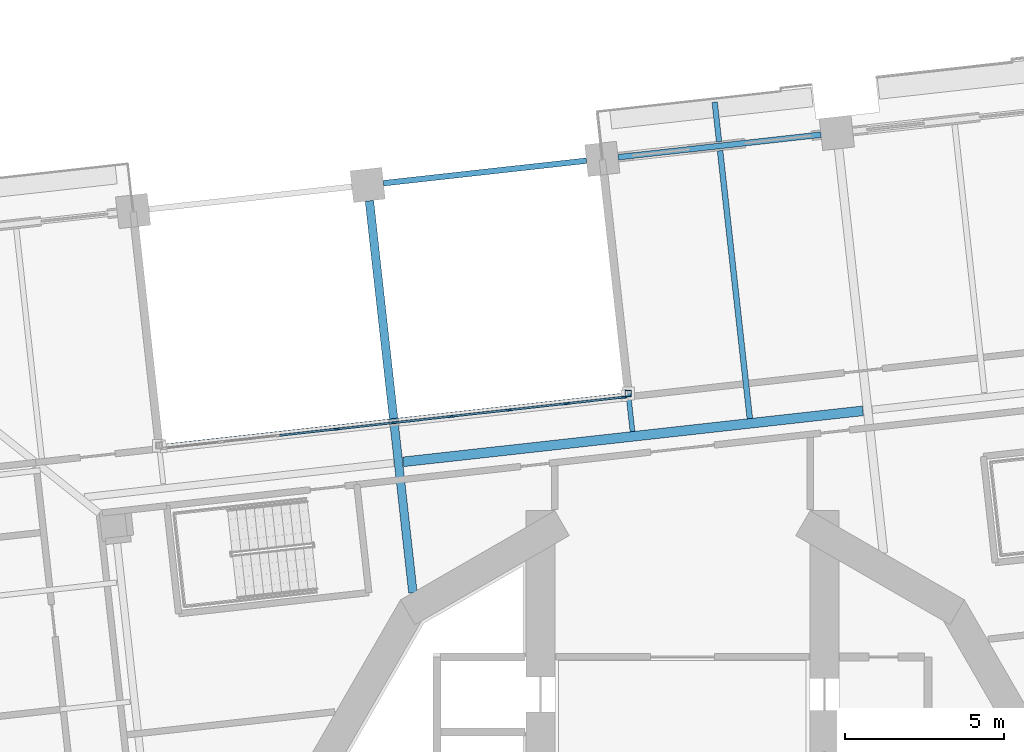
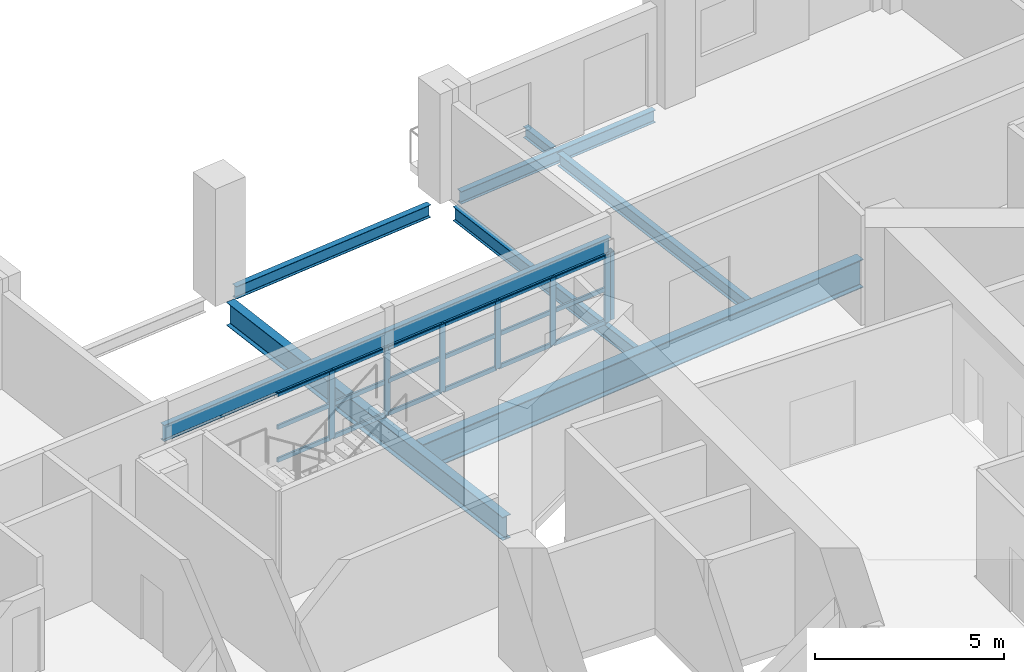
# One storey, part 4 of 21: 25 members, 8 beams, 1 element without a shape of its own.
"""IFC4 building model written with IfcOpenShell, lengths in metres."""

from ifc_helpers import new_model, si_unit, direction, frame, origin, origin_2d, place, context, subcontext, project, spatial, rectangle, hollow_rectangle, i_section, extrude, material, material_profile, profile_set, type_object, element, aggregate, save


model = new_model("IFC4")

# Units and contexts
model_context = context("Model", 3, precision=1e-05, world=origin(), true_north=direction((0.0, 1.0)))
body_context = subcontext(model_context, "Body", "Model", "MODEL_VIEW")
ifc_project = project(units=[si_unit("LENGTHUNIT", "METRE"), si_unit("AREAUNIT", "SQUARE_METRE"), si_unit("VOLUMEUNIT", "CUBIC_METRE"), si_unit("PLANEANGLEUNIT", "RADIAN"), si_unit("MASSUNIT", "GRAM", prefix="KILO")], contexts=[model_context])

# Site, building, storey
site_placement = place(None, origin())
site = spatial("IfcSite", under=ifc_project, at=site_placement, CompositionType="ELEMENT")
building_placement = place(site_placement, origin())
building = spatial("IfcBuilding", under=site, at=building_placement, Name="Cantera Rosa Tower", CompositionType="ELEMENT")
storey_placement = place(building_placement, frame((0.0, 0.0, 57.699951171875)))
storey = spatial("IfcBuildingStorey", under=building, at=storey_placement, Name="L11", CompositionType="ELEMENT", Elevation=57.699951171875)

# Curtain wall, members
ifc_material_1 = material(Name="Aluminium frame with clear glass", Category="aluminium")
curtain_wall_type = type_object("IfcCurtainWallType", Name="CW1 TERRACE POCKET GLAZING", PredefinedType="NOTDEFINED", material=ifc_material_1)
curtain_wall_placement = place(storey_placement, origin())
curtain_wall = element("IfcCurtainWall", 1, at=curtain_wall_placement, inside=storey, type_object=curtain_wall_type, Name="CW1 CW1", PredefinedType="NOTDEFINED")
ifc_material_2 = material(Name="Anodised bronze aluminium", Category="aluminium")
ifc_material_profile_1 = material_profile(ifc_material_2, rectangle(XDim=0.06005859375, YDim=0.179931640625, at=origin_2d()), Name="CW-MULLION 60x180 POCKET")
ifc_profile_set_1 = profile_set([ifc_material_profile_1], Name="Anodised bronze aluminium")
member_type_1 = type_object("IfcMemberType", Name="CW-MULLION 60x180 POCKET", PredefinedType="MULLION", material=ifc_profile_set_1)
member_1_placement = place(storey_placement, frame((-1.841796875, 15.189453125, 0.0), z_axis=(0.0, 0.0, 1.0), x_axis=(0.110312555543, -0.993896946413, 0.0)))
member_1 = element("IfcMember", 2, at=member_1_placement, type_object=member_type_1, Name="CW1 mullion 1", PredefinedType="MULLION", context=body_context, shape_type="SweptSolid", body=[
    extrude(rectangle(XDim=0.06005859375, YDim=0.179931640625, at=origin_2d()), origin(), (0.0, 0.0, 1.0), 2.18603515625),
])
member_2_placement = place(storey_placement, frame((-3.61962890625, 14.9921875, 0.0), z_axis=(0.0, 0.0, 1.0), x_axis=(0.110312555543, -0.993896946413, 0.0)))
member_2 = element("IfcMember", 3, at=member_2_placement, type_object=member_type_1, Name="CW1 mullion 2", PredefinedType="MULLION", context=body_context, shape_type="SweptSolid", body=[
    extrude(rectangle(XDim=0.06005859375, YDim=0.179931640625, at=origin_2d()), origin(), (0.0, 0.0, 1.0), 2.18603515625),
])
member_3_placement = place(storey_placement, frame((-5.42724609375, 14.79150390625, 0.0), z_axis=(0.0, 0.0, 1.0), x_axis=(0.110312555543, -0.993896946413, 0.0)))
member_3 = element("IfcMember", 4, at=member_3_placement, type_object=member_type_1, Name="CW1 mullion 3", PredefinedType="MULLION", context=body_context, shape_type="SweptSolid", body=[
    extrude(rectangle(XDim=0.06005859375, YDim=0.179931640625, at=origin_2d()), origin(), (0.0, 0.0, 1.0), 2.18603515625),
])
member_4_placement = place(storey_placement, frame((-7.23486328125, 14.5908203125, 0.0), z_axis=(0.0, 0.0, 1.0), x_axis=(0.110312555543, -0.993896946413, 0.0)))
member_4 = element("IfcMember", 5, at=member_4_placement, type_object=member_type_1, Name="CW1 mullion 4", PredefinedType="MULLION", context=body_context, shape_type="SweptSolid", body=[
    extrude(rectangle(XDim=0.06005859375, YDim=0.179931640625, at=origin_2d()), origin(), (0.0, 0.0, 1.0), 2.18603515625),
])
member_5_placement = place(storey_placement, frame((-9.042724609375, 14.390380859375, 0.0), z_axis=(0.0, 0.0, 1.0), x_axis=(0.110312555543, -0.993896946413, 0.0)))
member_5 = element("IfcMember", 6, at=member_5_placement, type_object=member_type_1, Name="CW1 mullion 5", PredefinedType="MULLION", context=body_context, shape_type="SweptSolid", body=[
    extrude(rectangle(XDim=0.06005859375, YDim=0.179931640625, at=origin_2d()), origin(), (0.0, 0.0, 1.0), 2.18603515625),
])
member_6_placement = place(storey_placement, frame((-10.850341796875, 14.189697265625, 0.0), z_axis=(0.0, 0.0, 1.0), x_axis=(0.110312555543, -0.993896946413, 0.0)))
member_6 = element("IfcMember", 7, at=member_6_placement, type_object=member_type_1, Name="CW1 mullion 6", PredefinedType="MULLION", context=body_context, shape_type="SweptSolid", body=[
    extrude(rectangle(XDim=0.06005859375, YDim=0.179931640625, at=origin_2d()), origin(), (0.0, 0.0, 1.0), 2.18603515625),
])
ifc_material_3 = material(Name="Anodised bronze aluminium", Category="aluminium")
ifc_material_profile_2 = material_profile(ifc_material_3, rectangle(XDim=0.06005859375, YDim=0.139892578125, at=origin_2d()), Name="CW-TRANSOM 60x140 POCKET")
ifc_profile_set_2 = profile_set([ifc_material_profile_2], Name="Anodised bronze aluminium")
member_type_2 = type_object("IfcMemberType", Name="CW-TRANSOM 60x140 POCKET", PredefinedType="USERDEFINED", material=ifc_profile_set_2)
member_7_placement = place(storey_placement, frame((-1.87158203125, 15.186279296875, 0.030029296875), z_axis=(-0.993899224529, -0.110292028184, 0.0), x_axis=(0.110292028184, -0.993899224529, 0.0)))
member_7 = element("IfcMember", 8, at=member_7_placement, type_object=member_type_2, Name="CW1 transom 1.1", ObjectType="TRANSOM", PredefinedType="USERDEFINED", context=body_context, shape_type="SweptSolid", body=[
    extrude(rectangle(XDim=0.06005859375, YDim=0.139892578125, at=origin_2d()), origin(), (0.0, 0.0, 1.0), 1.728759765625),
])
member_8_placement = place(storey_placement, frame((-1.87158203125, 15.186279296875, 1.093017578125), z_axis=(-0.993899224529, -0.110292028184, 0.0), x_axis=(0.110292028184, -0.993899224529, 0.0)))
member_8 = element("IfcMember", 9, at=member_8_placement, type_object=member_type_2, Name="CW1 transom 1.2", ObjectType="TRANSOM", PredefinedType="USERDEFINED", context=body_context, shape_type="SweptSolid", body=[
    extrude(rectangle(XDim=0.06005859375, YDim=0.139892578125, at=origin_2d()), origin(), (0.0, 0.0, 1.0), 1.728759765625),
])
member_9_placement = place(storey_placement, frame((-1.87158203125, 15.186279296875, 2.156005859375), z_axis=(-0.993899224529, -0.110292028184, 0.0), x_axis=(0.110292028184, -0.993899224529, 0.0)))
member_9 = element("IfcMember", 10, at=member_9_placement, type_object=member_type_2, Name="CW1 transom 1.3", ObjectType="TRANSOM", PredefinedType="USERDEFINED", context=body_context, shape_type="SweptSolid", body=[
    extrude(rectangle(XDim=0.06005859375, YDim=0.139892578125, at=origin_2d()), origin(), (0.0, 0.0, 1.0), 1.728759765625),
])
member_10_placement = place(storey_placement, frame((-3.6494140625, 14.989013671875, 0.030029296875), z_axis=(-0.993892195886, -0.110355348566, 0.0), x_axis=(0.110355348566, -0.993892195886, 0.0)))
member_10 = element("IfcMember", 11, at=member_10_placement, type_object=member_type_2, Name="CW1 transom 2.1", ObjectType="TRANSOM", PredefinedType="USERDEFINED", context=body_context, shape_type="SweptSolid", body=[
    extrude(rectangle(XDim=0.06005859375, YDim=0.139892578125, at=origin_2d()), origin(), (0.0, 0.0, 1.0), 1.7587890625),
])
member_11_placement = place(storey_placement, frame((-3.6494140625, 14.989013671875, 1.093017578125), z_axis=(-0.993892195886, -0.110355348566, 0.0), x_axis=(0.110355348566, -0.993892195886, 0.0)))
member_11 = element("IfcMember", 12, at=member_11_placement, type_object=member_type_2, Name="CW1 transom 2.2", ObjectType="TRANSOM", PredefinedType="USERDEFINED", context=body_context, shape_type="SweptSolid", body=[
    extrude(rectangle(XDim=0.06005859375, YDim=0.139892578125, at=origin_2d()), origin(), (0.0, 0.0, 1.0), 1.7587890625),
])
member_12_placement = place(storey_placement, frame((-3.6494140625, 14.989013671875, 2.156005859375), z_axis=(-0.993892195886, -0.110355348566, 0.0), x_axis=(0.110355348566, -0.993892195886, 0.0)))
member_12 = element("IfcMember", 13, at=member_12_placement, type_object=member_type_2, Name="CW1 transom 2.3", ObjectType="TRANSOM", PredefinedType="USERDEFINED", context=body_context, shape_type="SweptSolid", body=[
    extrude(rectangle(XDim=0.06005859375, YDim=0.139892578125, at=origin_2d()), origin(), (0.0, 0.0, 1.0), 1.7587890625),
])
member_13_placement = place(storey_placement, frame((-5.45703125, 14.788330078125, 0.030029296875), z_axis=(-0.993892195886, -0.110355348566, 0.0), x_axis=(0.110355348566, -0.993892195886, 0.0)))
member_13 = element("IfcMember", 14, at=member_13_placement, type_object=member_type_2, Name="CW1 transom 3.1", ObjectType="TRANSOM", PredefinedType="USERDEFINED", context=body_context, shape_type="SweptSolid", body=[
    extrude(rectangle(XDim=0.06005859375, YDim=0.139892578125, at=origin_2d()), origin(), (0.0, 0.0, 1.0), 1.7587890625),
])
member_14_placement = place(storey_placement, frame((-5.45703125, 14.788330078125, 1.093017578125), z_axis=(-0.993892195886, -0.110355348566, 0.0), x_axis=(0.110355348566, -0.993892195886, 0.0)))
member_14 = element("IfcMember", 15, at=member_14_placement, type_object=member_type_2, Name="CW1 transom 3.2", ObjectType="TRANSOM", PredefinedType="USERDEFINED", context=body_context, shape_type="SweptSolid", body=[
    extrude(rectangle(XDim=0.06005859375, YDim=0.139892578125, at=origin_2d()), origin(), (0.0, 0.0, 1.0), 1.7587890625),
])
member_15_placement = place(storey_placement, frame((-5.45703125, 14.788330078125, 2.156005859375), z_axis=(-0.993892195886, -0.110355348566, 0.0), x_axis=(0.110355348566, -0.993892195886, 0.0)))
member_15 = element("IfcMember", 16, at=member_15_placement, type_object=member_type_2, Name="CW1 transom 3.3", ObjectType="TRANSOM", PredefinedType="USERDEFINED", context=body_context, shape_type="SweptSolid", body=[
    extrude(rectangle(XDim=0.06005859375, YDim=0.139892578125, at=origin_2d()), origin(), (0.0, 0.0, 1.0), 1.7587890625),
])
member_16_placement = place(storey_placement, frame((-7.264892578125, 14.587646484375, 0.030029296875), z_axis=(-0.993890505044, -0.11037057571, 0.0), x_axis=(0.11037057571, -0.993890505044, 0.0)))
member_16 = element("IfcMember", 17, at=member_16_placement, type_object=member_type_2, Name="CW1 transom 4.1", ObjectType="TRANSOM", PredefinedType="USERDEFINED", context=body_context, shape_type="SweptSolid", body=[
    extrude(rectangle(XDim=0.06005859375, YDim=0.139892578125, at=origin_2d()), origin(), (0.0, 0.0, 1.0), 1.758544921875),
])
member_17_placement = place(storey_placement, frame((-7.264892578125, 14.587646484375, 1.093017578125), z_axis=(-0.993890505044, -0.11037057571, 0.0), x_axis=(0.11037057571, -0.993890505044, 0.0)))
member_17 = element("IfcMember", 18, at=member_17_placement, type_object=member_type_2, Name="CW1 transom 4.2", ObjectType="TRANSOM", PredefinedType="USERDEFINED", context=body_context, shape_type="SweptSolid", body=[
    extrude(rectangle(XDim=0.06005859375, YDim=0.139892578125, at=origin_2d()), origin(), (0.0, 0.0, 1.0), 1.758544921875),
])
member_18_placement = place(storey_placement, frame((-7.264892578125, 14.587646484375, 2.156005859375), z_axis=(-0.993890505044, -0.11037057571, 0.0), x_axis=(0.11037057571, -0.993890505044, 0.0)))
member_18 = element("IfcMember", 19, at=member_18_placement, type_object=member_type_2, Name="CW1 transom 4.3", ObjectType="TRANSOM", PredefinedType="USERDEFINED", context=body_context, shape_type="SweptSolid", body=[
    extrude(rectangle(XDim=0.06005859375, YDim=0.139892578125, at=origin_2d()), origin(), (0.0, 0.0, 1.0), 1.758544921875),
])
member_19_placement = place(storey_placement, frame((-9.072509765625, 14.386962890625, 0.030029296875), z_axis=(-0.993892195886, -0.110355348566, 0.0), x_axis=(0.110355348566, -0.993892195886, 0.0)))
member_19 = element("IfcMember", 20, at=member_19_placement, type_object=member_type_2, Name="CW1 transom 5.1", ObjectType="TRANSOM", PredefinedType="USERDEFINED", context=body_context, shape_type="SweptSolid", body=[
    extrude(rectangle(XDim=0.06005859375, YDim=0.139892578125, at=origin_2d()), origin(), (0.0, 0.0, 1.0), 1.7587890625),
])
member_20_placement = place(storey_placement, frame((-9.072509765625, 14.386962890625, 1.093017578125), z_axis=(-0.993892195886, -0.110355348566, 0.0), x_axis=(0.110355348566, -0.993892195886, 0.0)))
member_20 = element("IfcMember", 21, at=member_20_placement, type_object=member_type_2, Name="CW1 transom 5.2", ObjectType="TRANSOM", PredefinedType="USERDEFINED", context=body_context, shape_type="SweptSolid", body=[
    extrude(rectangle(XDim=0.06005859375, YDim=0.139892578125, at=origin_2d()), origin(), (0.0, 0.0, 1.0), 1.7587890625),
])
member_21_placement = place(storey_placement, frame((-9.072509765625, 14.386962890625, 2.156005859375), z_axis=(-0.993892195886, -0.110355348566, 0.0), x_axis=(0.110355348566, -0.993892195886, 0.0)))
member_21 = element("IfcMember", 22, at=member_21_placement, type_object=member_type_2, Name="CW1 transom 5.3", ObjectType="TRANSOM", PredefinedType="USERDEFINED", context=body_context, shape_type="SweptSolid", body=[
    extrude(rectangle(XDim=0.06005859375, YDim=0.139892578125, at=origin_2d()), origin(), (0.0, 0.0, 1.0), 1.7587890625),
])
member_22_placement = place(storey_placement, frame((-10.880126953125, 14.186279296875, 0.030029296875), z_axis=(-0.993907411717, -0.110218224148, 0.0), x_axis=(0.110218224148, -0.993907411717, 0.0)))
member_22 = element("IfcMember", 23, at=member_22_placement, type_object=member_type_2, Name="CW1 transom 6.1", ObjectType="TRANSOM", PredefinedType="USERDEFINED", context=body_context, shape_type="SweptSolid", body=[
    extrude(rectangle(XDim=0.06005859375, YDim=0.139892578125, at=origin_2d()), origin(), (0.0, 0.0, 1.0), 1.7587890625),
])
member_23_placement = place(storey_placement, frame((-10.880126953125, 14.186279296875, 1.093017578125), z_axis=(-0.993907411717, -0.110218224148, 0.0), x_axis=(0.110218224148, -0.993907411717, 0.0)))
member_23 = element("IfcMember", 24, at=member_23_placement, type_object=member_type_2, Name="CW1 transom 6.2", ObjectType="TRANSOM", PredefinedType="USERDEFINED", context=body_context, shape_type="SweptSolid", body=[
    extrude(rectangle(XDim=0.06005859375, YDim=0.139892578125, at=origin_2d()), origin(), (0.0, 0.0, 1.0), 1.7587890625),
])
member_24_placement = place(storey_placement, frame((-10.880126953125, 14.186279296875, 2.156005859375), z_axis=(-0.993907411717, -0.110218224148, 0.0), x_axis=(0.110218224148, -0.993907411717, 0.0)))
member_24 = element("IfcMember", 25, at=member_24_placement, type_object=member_type_2, Name="CW1 transom 6.3", ObjectType="TRANSOM", PredefinedType="USERDEFINED", context=body_context, shape_type="SweptSolid", body=[
    extrude(rectangle(XDim=0.06005859375, YDim=0.139892578125, at=origin_2d()), origin(), (0.0, 0.0, 1.0), 1.7587890625),
])
aggregate(curtain_wall, [member_1, member_2, member_3, member_4, member_5, member_6, member_7, member_8, member_9, member_10, member_11, member_12, member_13, member_14, member_15, member_16, member_17, member_18, member_19, member_20, member_21, member_22, member_23, member_24])

# Member
ifc_material_4 = material(Name="Steel ASTM A992 (Fy 345 MPa)", Category="steel")
ifc_material_profile_3 = material_profile(ifc_material_4, hollow_rectangle(XDim=0.199951171875, YDim=0.199951171875, WallThickness=0.010009765625, at=origin_2d()), Name="LINTEL POST RHS 200x200x10")
ifc_profile_set_3 = profile_set([ifc_material_profile_3], Name="Steel ASTM A992 (Fy 345 MPa)")
member_type_3 = type_object("IfcMemberType", Name="LINTEL POST RHS 200x200x10", PredefinedType="USERDEFINED", material=ifc_profile_set_3)
member_25_placement = place(storey_placement, frame((-1.69873046875, 15.305908203125, 0.0), z_axis=(0.0, 0.0, 1.0), x_axis=(1.0, 0.0, 0.0)))
element("IfcMember", 26, at=member_25_placement, inside=storey, type_object=member_type_3, Name="LINTEL POST L11-1", ObjectType="LINTEL POST", PredefinedType="USERDEFINED", context=body_context, shape_type="SweptSolid", body=[
    extrude(hollow_rectangle(XDim=0.199951171875, YDim=0.199951171875, WallThickness=0.010009765625, at=origin_2d()), origin(), (0.0, 0.0, 1.0), 2.18798828125),
])

# Beams
ifc_material_5 = material(Name="Steel ASTM A992 (Fy 345 MPa)", Category="steel")
ifc_material_profile_4 = material_profile(ifc_material_5, i_section(OverallWidth=0.154052734375, OverallDepth=0.4599609375, WebThickness=0.009033203125, FlangeThickness=0.015380859375, FilletRadius=0.01025390625, at=origin_2d()), Name="W460X68")
ifc_profile_set_4 = profile_set([ifc_material_profile_4], Name="Steel ASTM A992 (Fy 345 MPa)")
beam_type_1 = type_object("IfcBeamType", Name="STEEL BEAM W460X68", PredefinedType="BEAM", material=ifc_profile_set_4)
beam_1_placement = place(storey_placement, frame((-2.4599609375, 22.163818359375, -0.47998046875), z_axis=(0.110315740112, -0.993896592953, 0.0), x_axis=(0.993896592953, 0.110315740112, 0.0)))
element("IfcBeam", 27, at=beam_1_placement, inside=storey, type_object=beam_type_1, Name="G-Z1-07 L11", PredefinedType="BEAM", context=body_context, shape_type="SweptSolid", body=[
    extrude(i_section(OverallWidth=0.154052734375, OverallDepth=0.4599609375, WebThickness=0.009033203125, FlangeThickness=0.015380859375, FilletRadius=0.01025390625, at=origin_2d()), origin(), (0.0, 0.0, 1.0), 8.099853515625),
])
ifc_material_6 = material(Name="Steel ASTM A992 (Fy 345 MPa)", Category="steel")
ifc_material_profile_5 = material_profile(ifc_material_6, i_section(OverallWidth=0.166015625, OverallDepth=0.528076171875, WebThickness=0.009765625, FlangeThickness=0.013671875, FilletRadius=0.0126953125, at=origin_2d()), Name="W530X74")
ifc_profile_set_5 = profile_set([ifc_material_profile_5], Name="Steel ASTM A992 (Fy 345 MPa)")
beam_type_2 = type_object("IfcBeamType", Name="STEEL BEAM W530X74", PredefinedType="BEAM", material=ifc_profile_set_5)
beam_2_placement = place(storey_placement, frame((-1.742919921875, 15.250732421875, 2.4521484375), z_axis=(-0.993897094914, -0.110311217573, 0.0), x_axis=(0.110311217573, -0.993897094914, 0.0)))
element("IfcBeam", 28, at=beam_2_placement, inside=storey, type_object=beam_type_2, Name="LINTEL SL-L11", PredefinedType="BEAM", context=body_context, shape_type="SweptSolid", body=[
    extrude(i_section(OverallWidth=0.166015625, OverallDepth=0.528076171875, WebThickness=0.009765625, FlangeThickness=0.013671875, FilletRadius=0.0126953125, at=origin_2d()), origin(), (0.0, 0.0, 1.0), 14.699951171875),
])
ifc_material_7 = material(Name="Steel ASTM A992 (Fy 345 MPa)", Category="steel")
ifc_material_profile_6 = material_profile(ifc_material_7, i_section(OverallWidth=0.26708984375, OverallDepth=0.75390625, WebThickness=0.01318359375, FlangeThickness=0.01708984375, FilletRadius=0.0166015625, at=origin_2d()), Name="W760X147")
ifc_profile_set_6 = profile_set([ifc_material_profile_6], Name="Steel ASTM A992 (Fy 345 MPa)")
beam_type_3 = type_object("IfcBeamType", Name="STEEL BEAM W760X147", PredefinedType="BEAM", material=ifc_profile_set_6)
beam_3_placement = place(storey_placement, frame((-9.814697265625, 21.34765625, -0.626953125), z_axis=(0.110292782244, -0.993899140851, 0.0), x_axis=(0.993899140851, 0.110292782244, 0.0)))
element("IfcBeam", 29, at=beam_3_placement, inside=storey, type_object=beam_type_3, Name="G-Z1-08 L11", PredefinedType="BEAM", context=body_context, shape_type="SweptSolid", body=[
    extrude(i_section(OverallWidth=0.26708984375, OverallDepth=0.75390625, WebThickness=0.01318359375, FlangeThickness=0.01708984375, FilletRadius=0.0166015625, at=origin_2d()), origin(), (0.0, 0.0, 1.0), 12.360595703125),
])
ifc_material_8 = material(Name="Steel ASTM A992 (Fy 345 MPa)", Category="steel")
ifc_material_profile_7 = material_profile(ifc_material_8, i_section(OverallWidth=0.304931640625, OverallDepth=0.9189453125, WebThickness=0.017333984375, FlangeThickness=0.02783203125, FilletRadius=0.01904296875, at=origin_2d()), Name="W920X253")
ifc_profile_set_7 = profile_set([ifc_material_profile_7], Name="Steel ASTM A992 (Fy 345 MPa)")
beam_type_4 = type_object("IfcBeamType", Name="STEEL BEAM W920X253", PredefinedType="BEAM", material=ifc_profile_set_7)
beam_4_placement = place(storey_placement, frame((-8.755615234375, 13.16455078125, -0.70947265625), z_axis=(0.993898099692, 0.110302164209, 0.0), x_axis=(-0.110302164209, 0.993898099692, 0.0)))
element("IfcBeam", 30, at=beam_4_placement, inside=storey, type_object=beam_type_4, Name="RB-Z1-02 L11", PredefinedType="BEAM", context=body_context, shape_type="SweptSolid", body=[
    extrude(i_section(OverallWidth=0.304931640625, OverallDepth=0.9189453125, WebThickness=0.017333984375, FlangeThickness=0.02783203125, FilletRadius=0.01904296875, at=origin_2d()), origin(), (0.0, 0.0, 1.0), 14.499755859375),
])
ifc_material_9 = material(Name="Steel ASTM A992 (Fy 345 MPa)", Category="steel")
ifc_material_profile_8 = material_profile(ifc_material_9, i_section(OverallWidth=0.1708984375, OverallDepth=0.35595703125, WebThickness=0.00732421875, FlangeThickness=0.01171875, FilletRadius=0.010009765625, at=origin_2d()), Name="W360X51")
ifc_profile_set_8 = profile_set([ifc_material_profile_8], Name="Steel ASTM A992 (Fy 345 MPa)")
beam_type_5 = type_object("IfcBeamType", Name="STEEL JOIST W360X51", PredefinedType="JOIST", material=ifc_profile_set_8)
beam_5_placement = place(storey_placement, frame((1.14794921875, 23.1982421875, -0.427978515625), z_axis=(-0.110345783203, 0.993893257915, 0.0), x_axis=(-0.993893257915, -0.110345783203, 0.0)))
element("IfcBeam", 31, at=beam_5_placement, inside=storey, type_object=beam_type_5, Name="BS-Z1-07 L11", PredefinedType="JOIST", context=body_context, shape_type="SweptSolid", body=[
    extrude(i_section(OverallWidth=0.1708984375, OverallDepth=0.35595703125, WebThickness=0.00732421875, FlangeThickness=0.01171875, FilletRadius=0.010009765625, at=origin_2d()), origin(), (0.0, 0.0, 1.0), 1.25),
])
ifc_material_10 = material(Name="Steel ASTM A992 (Fy 345 MPa)", Category="steel")
ifc_material_profile_9 = material_profile(ifc_material_10, i_section(OverallWidth=0.177978515625, OverallDepth=0.406005859375, WebThickness=0.0078125, FlangeThickness=0.0126953125, FilletRadius=0.01025390625, at=origin_2d()), Name="W410X60")
ifc_profile_set_9 = profile_set([ifc_material_profile_9], Name="Steel ASTM A992 (Fy 345 MPa)")
beam_type_6 = type_object("IfcBeamType", Name="STEEL JOIST W410X60", PredefinedType="JOIST", material=ifc_profile_set_9)
beam_6_placement = place(storey_placement, frame((1.178955078125, 22.919921875, -0.452880859375), z_axis=(0.110311022989, -0.99389711651, 0.0), x_axis=(0.99389711651, 0.110311022989, 0.0)))
element("IfcBeam", 32, at=beam_6_placement, inside=storey, type_object=beam_type_6, Name="B-Z1-08 L11", PredefinedType="JOIST", context=body_context, shape_type="SweptSolid", body=[
    extrude(i_section(OverallWidth=0.177978515625, OverallDepth=0.406005859375, WebThickness=0.0078125, FlangeThickness=0.0126953125, FilletRadius=0.01025390625, at=origin_2d()), origin(), (0.0, 0.0, 1.0), 8.449951171875),
])
ifc_material_11 = material(Name="Steel ASTM A992 (Fy 345 MPa)", Category="steel")
ifc_material_profile_10 = material_profile(ifc_material_11, i_section(OverallWidth=0.177978515625, OverallDepth=0.406005859375, WebThickness=0.0078125, FlangeThickness=0.0126953125, FilletRadius=0.01025390625, at=origin_2d()), Name="W410X60")
ifc_profile_set_10 = profile_set([ifc_material_profile_10], Name="Steel ASTM A992 (Fy 345 MPa)")
beam_type_7 = type_object("IfcBeamType", Name="STEEL SPANDREL BEAM W410X60", PredefinedType="SPANDREL", material=ifc_profile_set_10)
beam_7_placement = place(storey_placement, frame((4.3427734375, 23.422119140625, -0.452880859375), z_axis=(-0.993895824271, -0.110322665379, 0.0), x_axis=(0.110322665379, -0.993895824271, 0.0)))
element("IfcBeam", 33, at=beam_7_placement, inside=storey, type_object=beam_type_7, Name="EB-Z1-10 L11", PredefinedType="SPANDREL", context=body_context, shape_type="SweptSolid", body=[
    extrude(i_section(OverallWidth=0.177978515625, OverallDepth=0.406005859375, WebThickness=0.0078125, FlangeThickness=0.0126953125, FilletRadius=0.01025390625, at=origin_2d()), origin(), (0.0, 0.0, 1.0), 6.39990234375),
])
beam_8_placement = place(storey_placement, frame((-3.011962890625, 22.605712890625, -0.452880859375), z_axis=(-0.993896288542, -0.110318482689, 0.0), x_axis=(0.110318482689, -0.993896288542, 0.0)))
element("IfcBeam", 34, at=beam_8_placement, inside=storey, type_object=beam_type_7, Name="EB-Z1-11 L11", PredefinedType="SPANDREL", context=body_context, shape_type="SweptSolid", body=[
    extrude(i_section(OverallWidth=0.177978515625, OverallDepth=0.406005859375, WebThickness=0.0078125, FlangeThickness=0.0126953125, FilletRadius=0.01025390625, at=origin_2d()), origin(), (0.0, 0.0, 1.0), 6.400146484375),
])

save(model, "model.ifc")
